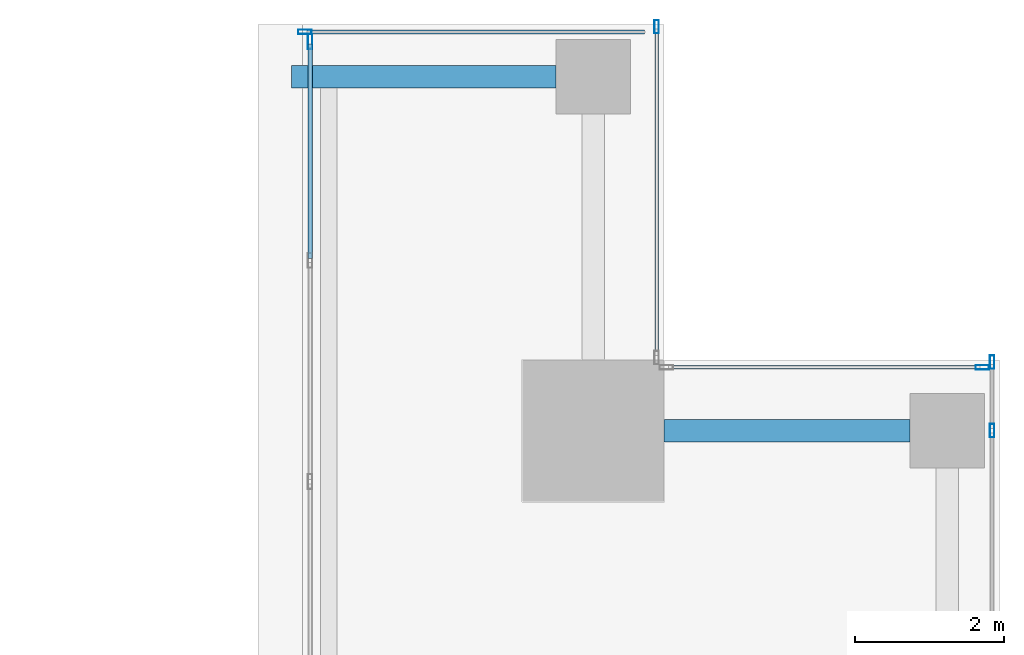
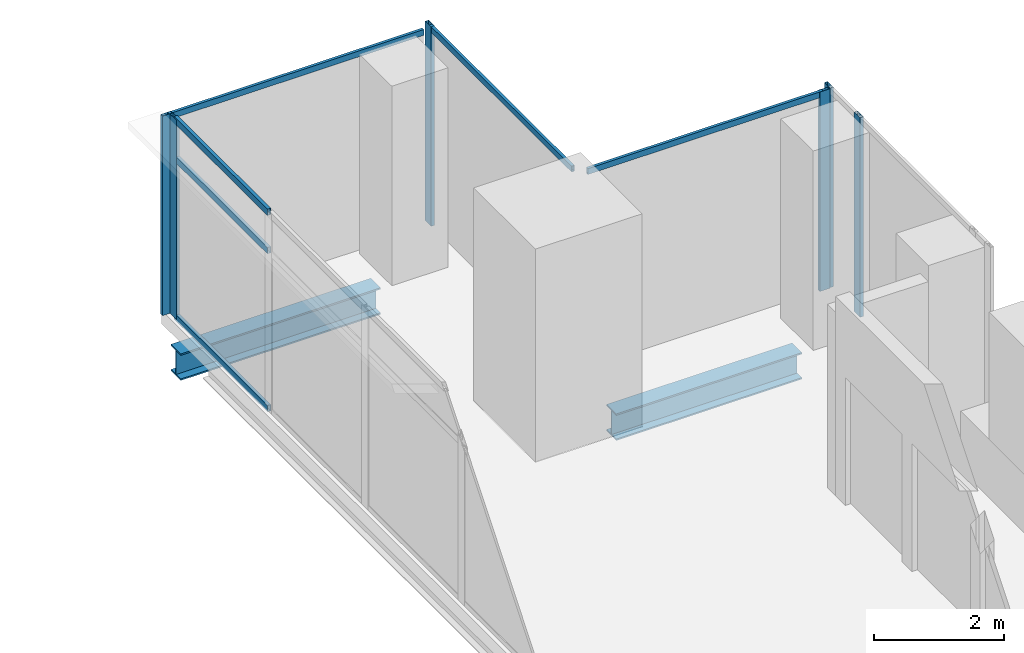
# One storey, part 27 of 40: 12 members, 2 beams, 5 elements without a shape of their own.
"""IFC4 building model written with IfcOpenShell, lengths in metres."""

from ifc_helpers import new_model, si_unit, direction, frame, origin, origin_2d, place, context, subcontext, project, spatial, hollow_rectangle, i_section, extrude, source, transform, mapped, material, material_profile, profile_set, type_object, element, aggregate, save


model = new_model("IFC4")

# Units and contexts
model_context = context("Model", 3, precision=1e-05, world=origin(), true_north=direction((0.0, 1.0)))
body_context = subcontext(model_context, "Body", "Model", "MODEL_VIEW")
ifc_project = project(units=[si_unit("LENGTHUNIT", "METRE"), si_unit("AREAUNIT", "SQUARE_METRE"), si_unit("VOLUMEUNIT", "CUBIC_METRE"), si_unit("PLANEANGLEUNIT", "RADIAN"), si_unit("MASSUNIT", "GRAM", prefix="KILO")], contexts=[model_context])

# Site, building, storey
site_placement = place(None, origin())
site = spatial("IfcSite", under=ifc_project, at=site_placement, CompositionType="ELEMENT")
building_placement = place(site_placement, origin())
building = spatial("IfcBuilding", under=site, at=building_placement, Name="Khomas Fold Tower", CompositionType="ELEMENT")
storey_placement = place(building_placement, frame((0.0, 0.0, 180.699951171875)))
storey = spatial("IfcBuildingStorey", under=building, at=storey_placement, Name="L39", CompositionType="ELEMENT", Elevation=180.699951171875)

# Beams
ifc_material_1 = material(Name="Steel S355", Category="steel")
ifc_material_profile_1 = material_profile(ifc_material_1, i_section(OverallWidth=0.300048828125, OverallDepth=0.5, WebThickness=0.014404296875, FlangeThickness=0.028076171875, at=origin_2d()), Name="HE 500 B")
ifc_profile_set_1 = profile_set([ifc_material_profile_1], Name="Steel S355")
beam_type = type_object("IfcBeamType", Name="HE 500 B spandrel SB3", PredefinedType="SPANDREL", material=ifc_profile_set_1)
shared_shape_1 = source(origin(), body_context, "Body", "SweptSolid", [
    extrude(i_section(OverallWidth=0.300048828125, OverallDepth=0.5, WebThickness=0.014404296875, FlangeThickness=0.028076171875, at=origin_2d()), origin(), (0.0, 0.0, 1.0), 3.300048828125),
])
beam_1_placement = place(storey_placement, frame((46.5, 45.550048828125, -0.5), z_axis=(1.0, 0.0, 0.0), x_axis=(0.0, 1.0, 0.0)))
element("IfcBeam", 1, at=beam_1_placement, inside=storey, type_object=beam_type, Name="SB3", PredefinedType="SPANDREL", context=body_context, shape_type="MappedRepresentation", body=[
    mapped(shared_shape_1, transform((0.0, 0.0, 0.0))),
])
shared_shape_2 = source(origin(), body_context, "Body", "SweptSolid", [
    extrude(i_section(OverallWidth=0.300048828125, OverallDepth=0.5, WebThickness=0.014404296875, FlangeThickness=0.028076171875, at=origin_2d()), origin(), (0.0, 0.0, 1.0), 3.550048828125),
])
beam_2_placement = place(storey_placement, frame((41.5, 50.300048828125, -0.5), z_axis=(1.0, 0.0, 0.0), x_axis=(0.0, 1.0, 0.0)))
element("IfcBeam", 2, at=beam_2_placement, inside=storey, type_object=beam_type, Name="SB3", PredefinedType="SPANDREL", context=body_context, shape_type="MappedRepresentation", body=[
    mapped(shared_shape_2, transform((0.0, 0.0, 0.0))),
])

# Curtain wall, members
ifc_material_2 = material(Name="Aluminium framed double glazing", Category="aluminium")
curtain_wall_type_1 = type_object("IfcCurtainWallType", Name="SK-Unitised clear-glass wall, office floors CW2", PredefinedType="NOTDEFINED", material=ifc_material_2)
curtain_wall_1_placement = place(storey_placement, origin())
curtain_wall_1 = element("IfcCurtainWall", 3, at=curtain_wall_1_placement, inside=storey, type_object=curtain_wall_type_1, Name="CW2 run L39 08-1", PredefinedType="NOTDEFINED")
ifc_material_3 = material(Name="Aluminium", Category="aluminium")
ifc_material_profile_2 = material_profile(ifc_material_3, hollow_rectangle(XDim=0.06005859375, YDim=0.179931640625, WallThickness=0.00390625, at=origin_2d()), Name="SK-Unitised clear-glass wall, office floors mullion CW2-M")
ifc_profile_set_2 = profile_set([ifc_material_profile_2], Name="Aluminium")
member_type_1 = type_object("IfcMemberType", Name="SK-Unitised clear-glass wall, office floors mullion CW2-M", PredefinedType="MULLION", material=ifc_profile_set_2)
shared_shape_3 = source(origin(), body_context, "Body", "SweptSolid", [
    extrude(hollow_rectangle(XDim=0.06005859375, YDim=0.179931640625, WallThickness=0.00390625, at=origin_2d()), origin(), (0.0, 0.0, 1.0), 3.75),
])
member_1_placement = place(storey_placement, frame((50.89990234375, 45.550048828125, 0.0), z_axis=(0.0, 0.0, 1.0), x_axis=(-1.0, 0.0, 0.0)))
member_1 = element("IfcMember", 4, at=member_1_placement, type_object=member_type_1, Name="CW2 mullion 3", PredefinedType="MULLION", context=body_context, shape_type="MappedRepresentation", body=[
    mapped(shared_shape_3, transform((0.0, 0.0, 0.0))),
])
member_2_placement = place(storey_placement, frame((50.89990234375, 46.469970703125, 0.0), z_axis=(0.0, 0.0, 1.0), x_axis=(-1.0, 0.0, 0.0)))
member_2 = element("IfcMember", 5, at=member_2_placement, type_object=member_type_1, Name="CW2 mullion 4", PredefinedType="MULLION", context=body_context, shape_type="MappedRepresentation", body=[
    mapped(shared_shape_3, transform((0.0, 0.0, 0.0))),
])
aggregate(curtain_wall_1, [member_1, member_2])

# Curtain wall, member
curtain_wall_2_placement = place(storey_placement, origin())
curtain_wall_2 = element("IfcCurtainWall", 6, at=curtain_wall_2_placement, inside=storey, type_object=curtain_wall_type_1, Name="CW2 corner return L39 09", PredefinedType="NOTDEFINED")
member_3_placement = place(storey_placement, frame((50.77001953125, 46.39990234375, 0.0), z_axis=(0.0, 0.0, 1.0), x_axis=(0.0, -1.0, 0.0)))
member_3 = element("IfcMember", 7, at=member_3_placement, type_object=member_type_1, Name="CW2 mullion 1", PredefinedType="MULLION", context=body_context, shape_type="MappedRepresentation", body=[
    mapped(shared_shape_3, transform((0.0, 0.0, 0.0))),
])

curtain_wall_3_placement = place(storey_placement, origin())
curtain_wall_3 = element("IfcCurtainWall", 8, at=curtain_wall_3_placement, inside=storey, type_object=curtain_wall_type_1, Name="CW2 corner return L39 10", PredefinedType="NOTDEFINED")
member_4_placement = place(storey_placement, frame((46.39990234375, 50.969970703125, 0.0), z_axis=(0.0, 0.0, 1.0), x_axis=(-1.0, 0.0, 0.0)))
member_4 = element("IfcMember", 9, at=member_4_placement, type_object=member_type_1, Name="CW2 mullion 2", PredefinedType="MULLION", context=body_context, shape_type="MappedRepresentation", body=[
    mapped(shared_shape_3, transform((0.0, 0.0, 0.0))),
])

curtain_wall_4_placement = place(storey_placement, origin())
curtain_wall_4 = element("IfcCurtainWall", 10, at=curtain_wall_4_placement, inside=storey, type_object=curtain_wall_type_1, Name="CW2 run L39 11-0", PredefinedType="NOTDEFINED")
member_5_placement = place(storey_placement, frame((41.679931640625, 50.89990234375, 0.0), z_axis=(0.0, 0.0, 1.0), x_axis=(0.0, -1.0, 0.0)))
member_5 = element("IfcMember", 11, at=member_5_placement, type_object=member_type_1, Name="CW2 mullion 2", PredefinedType="MULLION", context=body_context, shape_type="MappedRepresentation", body=[
    mapped(shared_shape_3, transform((0.0, 0.0, 0.0))),
])

# Member
ifc_material_4 = material(Name="Aluminium", Category="aluminium")
ifc_material_profile_3 = material_profile(ifc_material_4, hollow_rectangle(XDim=0.050048828125, YDim=0.110107421875, WallThickness=0.00390625, at=origin_2d()), Name="SK-Unitised clear-glass wall, office floors transom CW2-T")
ifc_profile_set_3 = profile_set([ifc_material_profile_3], Name="Aluminium")
member_type_2 = type_object("IfcMemberType", Name="SK-Unitised clear-glass wall, office floors transom CW2-T", PredefinedType="USERDEFINED", material=ifc_profile_set_3)
shared_shape_4 = source(origin(), body_context, "Body", "SweptSolid", [
    extrude(hollow_rectangle(XDim=0.050048828125, YDim=0.110107421875, WallThickness=0.00390625, at=origin_2d()), origin(), (0.0, 0.0, 1.0), 4.3798828125),
])
member_6_placement = place(storey_placement, frame((46.39990234375, 46.56005859375, 3.695068359375), z_axis=(0.0, 1.0, 0.0), x_axis=(-1.0, 0.0, 0.0)))
member_6 = element("IfcMember", 12, at=member_6_placement, type_object=member_type_2, Name="CW2 transom 1", ObjectType="TRANSOM", PredefinedType="USERDEFINED", context=body_context, shape_type="MappedRepresentation", body=[
    mapped(shared_shape_4, transform((0.0, 0.0, 0.0))),
])

aggregate(curtain_wall_3, [member_4, member_6])

shared_shape_5 = source(origin(), body_context, "Body", "SweptSolid", [
    extrude(hollow_rectangle(XDim=0.050048828125, YDim=0.110107421875, WallThickness=0.00390625, at=origin_2d()), origin(), (0.0, 0.0, 1.0), 4.179931640625),
])
member_7_placement = place(storey_placement, frame((50.739990234375, 46.39990234375, 3.695068359375), z_axis=(-1.0, 0.0, 0.0), x_axis=(0.0, -1.0, 0.0)))
member_7 = element("IfcMember", 13, at=member_7_placement, type_object=member_type_2, Name="CW2 transom 1", ObjectType="TRANSOM", PredefinedType="USERDEFINED", context=body_context, shape_type="MappedRepresentation", body=[
    mapped(shared_shape_5, transform((0.0, 0.0, 0.0))),
])

aggregate(curtain_wall_2, [member_3, member_7])

shared_shape_6 = source(origin(), body_context, "Body", "SweptSolid", [
    extrude(hollow_rectangle(XDim=0.050048828125, YDim=0.110107421875, WallThickness=0.00390625, at=origin_2d()), origin(), (0.0, 0.0, 1.0), 4.530029296875),
])
member_8_placement = place(storey_placement, frame((46.239990234375, 50.89990234375, 3.695068359375), z_axis=(-1.0, 0.0, 0.0), x_axis=(0.0, -1.0, 0.0)))
member_8 = element("IfcMember", 14, at=member_8_placement, type_object=member_type_2, Name="CW2 transom 1", ObjectType="TRANSOM", PredefinedType="USERDEFINED", context=body_context, shape_type="MappedRepresentation", body=[
    mapped(shared_shape_6, transform((0.0, 0.0, 0.0))),
])

aggregate(curtain_wall_4, [member_5, member_8])

# Curtain wall, members
ifc_material_5 = material(Name="Aluminium framed double glazing", Category="aluminium")
curtain_wall_type_2 = type_object("IfcCurtainWallType", Name="Notch glazing GN-CW", PredefinedType="NOTDEFINED", material=ifc_material_5)
curtain_wall_5_placement = place(storey_placement, origin())
curtain_wall_5 = element("IfcCurtainWall", 15, at=curtain_wall_5_placement, inside=storey, type_object=curtain_wall_type_2, Name="Notch glazing run", PredefinedType="NOTDEFINED")
ifc_material_6 = material(Name="Aluminium", Category="aluminium")
ifc_material_profile_4 = material_profile(ifc_material_6, hollow_rectangle(XDim=0.06005859375, YDim=0.1201171875, WallThickness=0.00390625, at=origin_2d()), Name="Notch glazing transom GN-CW-T")
ifc_profile_set_4 = profile_set([ifc_material_profile_4], Name="Aluminium")
member_type_3 = type_object("IfcMemberType", Name="Notch glazing transom GN-CW-T", PredefinedType="USERDEFINED", material=ifc_profile_set_4)
shared_shape_7 = source(origin(), body_context, "Body", "SweptSolid", [
    extrude(hollow_rectangle(XDim=0.06005859375, YDim=0.1201171875, WallThickness=0.00390625, at=origin_2d()), origin(), (0.0, 0.0, 1.0), 2.876708984375),
])
member_9_placement = place(storey_placement, frame((41.75, 50.739990234375, 0.030029296875), z_axis=(0.0, -1.0, 0.0), x_axis=(1.0, 0.0, 0.0)))
member_9 = element("IfcMember", 16, at=member_9_placement, type_object=member_type_3, Name="GN-CW transom 1.1", ObjectType="TRANSOM", PredefinedType="USERDEFINED", context=body_context, shape_type="MappedRepresentation", body=[
    mapped(shared_shape_7, transform((0.0, 0.0, 0.0))),
])
member_10_placement = place(storey_placement, frame((41.75, 50.739990234375, 3.0), z_axis=(0.0, -1.0, 0.0), x_axis=(1.0, 0.0, 0.0)))
member_10 = element("IfcMember", 17, at=member_10_placement, type_object=member_type_3, Name="GN-CW transom 1.2", ObjectType="TRANSOM", PredefinedType="USERDEFINED", context=body_context, shape_type="MappedRepresentation", body=[
    mapped(shared_shape_7, transform((0.0, 0.0, 0.0))),
])
member_11_placement = place(storey_placement, frame((41.75, 50.739990234375, 3.719970703125), z_axis=(0.0, -1.0, 0.0), x_axis=(1.0, 0.0, 0.0)))
member_11 = element("IfcMember", 18, at=member_11_placement, type_object=member_type_3, Name="GN-CW transom 1.3", ObjectType="TRANSOM", PredefinedType="USERDEFINED", context=body_context, shape_type="MappedRepresentation", body=[
    mapped(shared_shape_7, transform((0.0, 0.0, 0.0))),
])
ifc_material_7 = material(Name="Aluminium", Category="aluminium")
ifc_material_profile_5 = material_profile(ifc_material_7, hollow_rectangle(XDim=0.06005859375, YDim=0.199951171875, WallThickness=0.00390625, at=origin_2d()), Name="Notch glazing mullion GN-CW-M")
ifc_profile_set_5 = profile_set([ifc_material_profile_5], Name="Aluminium")
member_type_4 = type_object("IfcMemberType", Name="Notch glazing mullion GN-CW-M", PredefinedType="MULLION", material=ifc_profile_set_5)
shared_shape_8 = source(origin(), body_context, "Body", "SweptSolid", [
    extrude(hollow_rectangle(XDim=0.06005859375, YDim=0.199951171875, WallThickness=0.00390625, at=origin_2d()), origin(), (0.0, 0.0, 1.0), 3.75),
])
member_12_placement = place(storey_placement, frame((41.75, 50.77001953125, 0.0), z_axis=(0.0, 0.0, 1.0), x_axis=(1.0, 0.0, 0.0)))
member_12 = element("IfcMember", 19, at=member_12_placement, type_object=member_type_4, Name="GN-CW mullion 1", PredefinedType="MULLION", context=body_context, shape_type="MappedRepresentation", body=[
    mapped(shared_shape_8, transform((0.0, 0.0, 0.0))),
])
aggregate(curtain_wall_5, [member_12, member_9, member_10, member_11])

save(model, "model.ifc")
